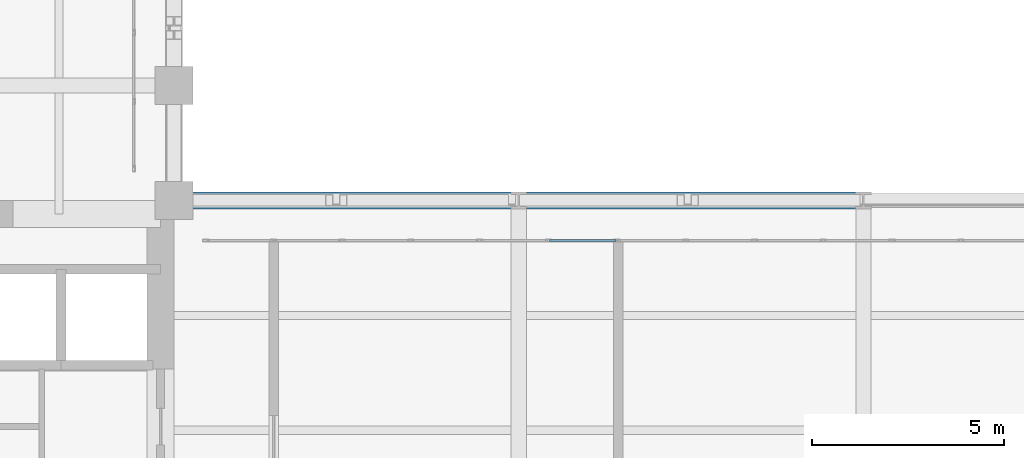
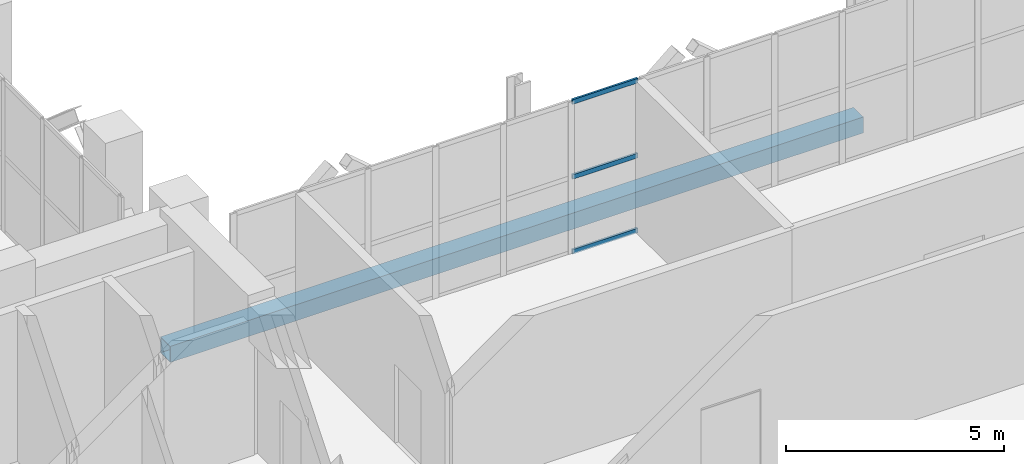
# One storey, part 7 of 27: 4 members, 1 element without a shape of its own.
"""IFC4 building model written with IfcOpenShell, lengths in metres."""

from ifc_helpers import new_model, si_unit, direction, frame, origin, origin_2d, place, context, subcontext, project, spatial, hollow_rectangle, extrude, material, layer, layer_set, material_profile, profile_set, type_object, element, aggregate, save


model = new_model("IFC4")

# Units and contexts
model_context = context("Model", 3, precision=1e-05, world=origin(), true_north=direction((0.0, 1.0)))
body_context = subcontext(model_context, "Body", "Model", "MODEL_VIEW")
ifc_project = project(units=[si_unit("LENGTHUNIT", "METRE"), si_unit("AREAUNIT", "SQUARE_METRE"), si_unit("VOLUMEUNIT", "CUBIC_METRE"), si_unit("PLANEANGLEUNIT", "RADIAN"), si_unit("MASSUNIT", "GRAM", prefix="KILO")], contexts=[model_context])

# Site, building, storey
site_placement = place(None, origin())
site = spatial("IfcSite", under=ifc_project, at=site_placement, CompositionType="ELEMENT")
building_placement = place(site_placement, origin())
building = spatial("IfcBuilding", under=site, at=building_placement, Name="Mawjdan Bourse Tower", CompositionType="ELEMENT")
storey_placement = place(building_placement, frame((0.0, 0.0, 155.699951171875)))
storey = spatial("IfcBuildingStorey", under=building, at=storey_placement, Name="L37", CompositionType="ELEMENT", Elevation=155.699951171875)

# Member
ifc_material_1 = material(Name="Structural Steel S460", Category="steel")
ifc_material_profile_1 = material_profile(ifc_material_1, hollow_rectangle(XDim=0.449951171875, YDim=0.449951171875, WallThickness=0.01611328125, at=origin_2d()), Name="HSS450X450X16")
ifc_profile_set_1 = profile_set([ifc_material_profile_1], Name="Structural Steel S460")
member_type_1 = type_object("IfcMemberType", Name="CHD-HSS450X450X16", PredefinedType="CHORD", material=ifc_profile_set_1)
member_1_placement = place(storey_placement, frame((23.64990234375, 21.0, 0.199951171875), z_axis=(1.0, 0.0, 0.0), x_axis=(0.0, 1.0, 0.0)))
element("IfcMember", 1, at=member_1_placement, inside=storey, type_object=member_type_1, Name="L37 East Outrigger Truss 2 Bottom Chord", PredefinedType="CHORD", context=body_context, shape_type="SweptSolid", body=[
    extrude(hollow_rectangle(XDim=0.449951171875, YDim=0.449951171875, WallThickness=0.01611328125, at=origin_2d()), origin(), (0.0, 0.0, 1.0), 18.35009765625),
])

# Curtain wall, members
ifc_material_2 = material(Name="Thermally Broken Aluminium and Solar Glass", Category="aluminium")
ifc_layer = layer(ifc_material_2, 0.219970703125)
ifc_layer_set = layer_set([ifc_layer], Name="Thermally Broken Aluminium and Solar Glass")
curtain_wall_type = type_object("IfcCurtainWallType", Name="CW-RFG", PredefinedType="USERDEFINED", material=ifc_layer_set)
curtain_wall_placement = place(storey_placement, origin())
curtain_wall = element("IfcCurtainWall", 2, at=curtain_wall_placement, inside=storey, type_object=curtain_wall_type, Name="L37 Refuge Band North Louvre Curtain Wall", ObjectType="REFUGE BAND LOUVRE SCREEN", PredefinedType="USERDEFINED")
ifc_material_3 = material(Name="Thermally Broken Anodised Aluminium", Category="aluminium")
ifc_material_profile_2 = material_profile(ifc_material_3, hollow_rectangle(XDim=0.054931640625, YDim=0.1298828125, WallThickness=0.00341796875, at=origin_2d()), Name="ALU-TRN-130X55")
ifc_profile_set_2 = profile_set([ifc_material_profile_2], Name="Thermally Broken Anodised Aluminium")
member_type_2 = type_object("IfcMemberType", Name="TRN-ALU-TRN-130X55", PredefinedType="USERDEFINED", material=ifc_profile_set_2)
member_2_placement = place(storey_placement, frame((35.5341796875, 19.949951171875, 0.027587890625), z_axis=(-1.0, 0.0, 0.0), x_axis=(0.0, -1.0, 0.0)))
member_2 = element("IfcMember", 3, at=member_2_placement, type_object=member_type_2, Name="CW-RFG-L37-RFG-N transom 13.1", ObjectType="TRANSOM", PredefinedType="USERDEFINED", context=body_context, shape_type="SweptSolid", body=[
    extrude(hollow_rectangle(XDim=0.054931640625, YDim=0.1298828125, WallThickness=0.00341796875, at=origin_2d()), origin(), (0.0, 0.0, 1.0), 1.7294921875),
])
member_3_placement = place(storey_placement, frame((35.5341796875, 19.949951171875, 2.125), z_axis=(-1.0, 0.0, 0.0), x_axis=(0.0, -1.0, 0.0)))
member_3 = element("IfcMember", 4, at=member_3_placement, type_object=member_type_2, Name="CW-RFG-L37-RFG-N transom 13.2", ObjectType="TRANSOM", PredefinedType="USERDEFINED", context=body_context, shape_type="SweptSolid", body=[
    extrude(hollow_rectangle(XDim=0.054931640625, YDim=0.1298828125, WallThickness=0.00341796875, at=origin_2d()), origin(), (0.0, 0.0, 1.0), 1.7294921875),
])
member_4_placement = place(storey_placement, frame((35.5341796875, 19.949951171875, 4.22265625), z_axis=(-1.0, 0.0, 0.0), x_axis=(0.0, -1.0, 0.0)))
member_4 = element("IfcMember", 5, at=member_4_placement, type_object=member_type_2, Name="CW-RFG-L37-RFG-N transom 13.3", ObjectType="TRANSOM", PredefinedType="USERDEFINED", context=body_context, shape_type="SweptSolid", body=[
    extrude(hollow_rectangle(XDim=0.054931640625, YDim=0.1298828125, WallThickness=0.00341796875, at=origin_2d()), origin(), (0.0, 0.0, 1.0), 1.7294921875),
])
aggregate(curtain_wall, [member_2, member_3, member_4])

save(model, "model.ifc")
